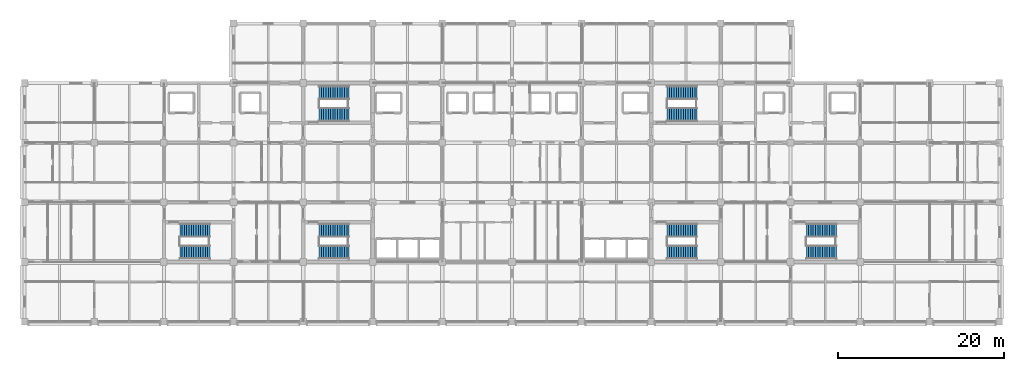
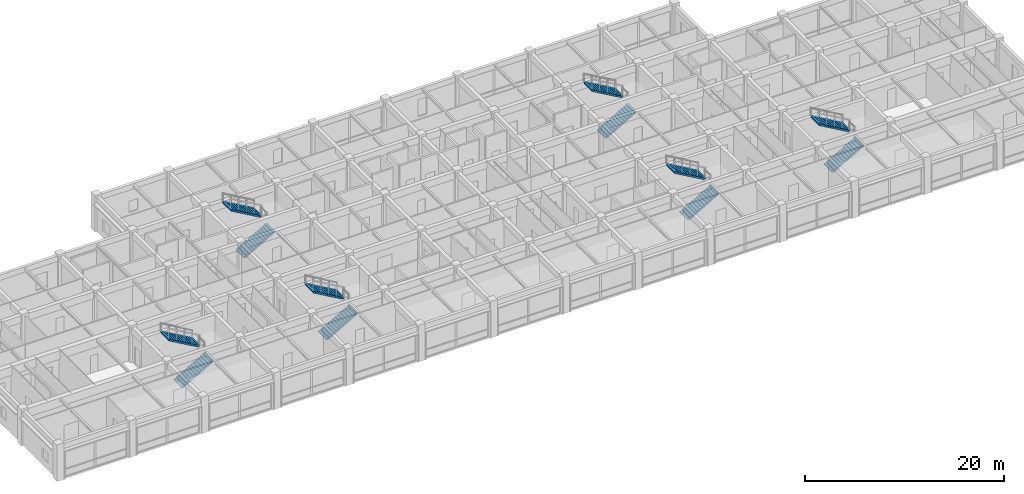
# One storey, part 27 of 30: 12 stair flights, 6 elements without a shape of their own.
"""IFC4 building model written with IfcOpenShell, lengths in metres."""

from ifc_helpers import new_model, si_unit, direction, frame, origin, place, context, subcontext, project, spatial, polyline, outline, extrude, material, type_object, element, aggregate, save


model = new_model("IFC4")

# Units and contexts
model_context = context("Model", 3, precision=1e-05, world=origin(), true_north=direction((0.0, 1.0)))
body_context = subcontext(model_context, "Body", "Model", "MODEL_VIEW")
ifc_project = project(units=[si_unit("LENGTHUNIT", "METRE"), si_unit("AREAUNIT", "SQUARE_METRE"), si_unit("VOLUMEUNIT", "CUBIC_METRE"), si_unit("PLANEANGLEUNIT", "RADIAN"), si_unit("MASSUNIT", "GRAM", prefix="KILO")], contexts=[model_context])

# Site, building, storey
site_placement = place(None, origin())
site = spatial("IfcSite", under=ifc_project, at=site_placement, CompositionType="ELEMENT")
building_placement = place(site_placement, origin())
building = spatial("IfcBuilding", under=site, at=building_placement, Name="Chengyuan Square Courthouse", CompositionType="ELEMENT")
storey_placement = place(building_placement, frame((0.0, 0.0, 26.10009765625)))
storey = spatial("IfcBuildingStorey", under=building, at=storey_placement, Name="L06", CompositionType="ELEMENT", Elevation=26.10009765625)

# Stair, stair flights
ifc_material = material(Name="Concrete C40", Category="concrete")
stair_type_1 = type_object("IfcStairType", Name="ST-TYPE-01", PredefinedType="HALF_TURN_STAIR", material=ifc_material)
stair_1_placement = place(storey_placement, origin())
stair_1 = element("IfcStair", 1, at=stair_1_placement, inside=storey, type_object=stair_type_1, Name="Smoke-Proof Exit Stair ST-1 (L06 to L07)", PredefinedType="HALF_TURN_STAIR")
stair_flight_type_1 = type_object("IfcStairFlightType", Name="STF-TYPE-01", PredefinedType="STRAIGHT", material=ifc_material)
stair_flight_1_placement = place(storey_placement, frame((60.7099609375, 104.175048828125, 0.0), z_axis=(0.0, 0.0, 1.0), x_axis=(1.0, 0.0, 0.0)))
stair_flight_1 = element("IfcStairFlight", 2, at=stair_flight_1_placement, type_object=stair_flight_type_1, Name="ST-1 flight 1", NumberOfRisers=14, NumberOfTreads=13, PredefinedType="STRAIGHT", RiserHeight=0.160714286, TreadLength=0.28, context=body_context, shape_type="SweptSolid", body=[
    extrude(outline(polyline([(0.0, 0.0), (0.0, 0.16064453125), (0.280029296875, 0.16064453125), (0.280029296875, 0.321533203125), (0.56005859375, 0.321533203125), (0.56005859375, 0.482177734375), (0.840087890625, 0.482177734375), (0.840087890625, 0.642822265625), (1.1201171875, 0.642822265625), (1.1201171875, 0.803466796875), (1.39990234375, 0.803466796875), (1.39990234375, 0.96435546875), (1.679931640625, 0.96435546875), (1.679931640625, 1.125), (1.9599609375, 1.125), (1.9599609375, 1.28564453125), (2.239990234375, 1.28564453125), (2.239990234375, 1.446533203125), (2.52001953125, 1.446533203125), (2.52001953125, 1.607177734375), (2.800048828125, 1.607177734375), (2.800048828125, 1.767822265625), (3.080078125, 1.767822265625), (3.080078125, 1.928466796875), (3.360107421875, 1.928466796875), (3.360107421875, 2.08935546875), (3.639892578125, 2.08935546875), (3.639892578125, 2.25), (3.639892578125, 1.91650390625), (0.301025390625, 0.0), (0.0, 0.0)])), frame((0.0, 0.824951171875, 0.0), z_axis=(0.0, -1.0, 0.0), x_axis=(1.0, 0.0, 0.0)), (0.0, 0.0, 1.0), 1.64990234375),
])
stair_flight_2_placement = place(storey_placement, frame((64.35009765625, 106.824951171875, 2.25), z_axis=(0.0, 0.0, 1.0), x_axis=(-1.0, 0.0, 0.0)))
stair_flight_2 = element("IfcStairFlight", 3, at=stair_flight_2_placement, type_object=stair_flight_type_1, Name="ST-1 flight 2", NumberOfRisers=14, NumberOfTreads=13, PredefinedType="STRAIGHT", RiserHeight=0.160714286, TreadLength=0.28, context=body_context, shape_type="SweptSolid", body=[
    extrude(outline(polyline([(0.0, 0.0), (0.0, 0.16064453125), (0.280029296875, 0.16064453125), (0.280029296875, 0.321533203125), (0.56005859375, 0.321533203125), (0.56005859375, 0.482177734375), (0.840087890625, 0.482177734375), (0.840087890625, 0.642822265625), (1.1201171875, 0.642822265625), (1.1201171875, 0.803466796875), (1.39990234375, 0.803466796875), (1.39990234375, 0.96435546875), (1.679931640625, 0.96435546875), (1.679931640625, 1.125), (1.9599609375, 1.125), (1.9599609375, 1.28564453125), (2.239990234375, 1.28564453125), (2.239990234375, 1.446533203125), (2.52001953125, 1.446533203125), (2.52001953125, 1.607177734375), (2.800048828125, 1.607177734375), (2.800048828125, 1.767822265625), (3.080078125, 1.767822265625), (3.080078125, 1.928466796875), (3.360107421875, 1.928466796875), (3.360107421875, 2.08935546875), (3.639892578125, 2.08935546875), (3.639892578125, 2.25), (3.639892578125, 1.91650390625), (0.301025390625, 0.0), (0.0, 0.0)])), frame((0.0, 0.824951171875, 0.0), z_axis=(0.0, -1.0, 0.0), x_axis=(1.0, 0.0, 0.0)), (0.0, 0.0, 1.0), 1.64990234375),
])
aggregate(stair_1, [stair_flight_1, stair_flight_2])

stair_type_2 = type_object("IfcStairType", Name="ST-TYPE-02", PredefinedType="HALF_TURN_STAIR", material=ifc_material)
stair_2_placement = place(storey_placement, origin())
stair_2 = element("IfcStair", 4, at=stair_2_placement, inside=storey, type_object=stair_type_2, Name="Smoke-Proof Exit Stair ST-2 (L06 to L07)", PredefinedType="HALF_TURN_STAIR")
stair_flight_type_2 = type_object("IfcStairFlightType", Name="STF-TYPE-02", PredefinedType="STRAIGHT", material=ifc_material)
stair_flight_3_placement = place(storey_placement, frame((102.7099609375, 104.175048828125, 0.0), z_axis=(0.0, 0.0, 1.0), x_axis=(1.0, 0.0, 0.0)))
stair_flight_3 = element("IfcStairFlight", 5, at=stair_flight_3_placement, type_object=stair_flight_type_2, Name="ST-2 flight 1", NumberOfRisers=14, NumberOfTreads=13, PredefinedType="STRAIGHT", RiserHeight=0.160714286, TreadLength=0.28, context=body_context, shape_type="SweptSolid", body=[
    extrude(outline(polyline([(0.0, 0.0), (0.0, 0.16064453125), (0.280029296875, 0.16064453125), (0.280029296875, 0.321533203125), (0.56005859375, 0.321533203125), (0.56005859375, 0.482177734375), (0.840087890625, 0.482177734375), (0.840087890625, 0.642822265625), (1.1201171875, 0.642822265625), (1.1201171875, 0.803466796875), (1.39990234375, 0.803466796875), (1.39990234375, 0.96435546875), (1.679931640625, 0.96435546875), (1.679931640625, 1.125), (1.9599609375, 1.125), (1.9599609375, 1.28564453125), (2.239990234375, 1.28564453125), (2.239990234375, 1.446533203125), (2.52001953125, 1.446533203125), (2.52001953125, 1.607177734375), (2.800048828125, 1.607177734375), (2.800048828125, 1.767822265625), (3.080078125, 1.767822265625), (3.080078125, 1.928466796875), (3.360107421875, 1.928466796875), (3.360107421875, 2.08935546875), (3.639892578125, 2.08935546875), (3.639892578125, 2.25), (3.639892578125, 1.91650390625), (0.301025390625, 0.0), (0.0, 0.0)])), frame((0.0, 0.824951171875, 0.0), z_axis=(0.0, -1.0, 0.0), x_axis=(1.0, 0.0, 0.0)), (0.0, 0.0, 1.0), 1.64990234375),
])
stair_flight_4_placement = place(storey_placement, frame((106.35009765625, 106.824951171875, 2.25), z_axis=(0.0, 0.0, 1.0), x_axis=(-1.0, 0.0, 0.0)))
stair_flight_4 = element("IfcStairFlight", 6, at=stair_flight_4_placement, type_object=stair_flight_type_2, Name="ST-2 flight 2", NumberOfRisers=14, NumberOfTreads=13, PredefinedType="STRAIGHT", RiserHeight=0.160714286, TreadLength=0.28, context=body_context, shape_type="SweptSolid", body=[
    extrude(outline(polyline([(0.0, 0.0), (0.0, 0.16064453125), (0.280029296875, 0.16064453125), (0.280029296875, 0.321533203125), (0.56005859375, 0.321533203125), (0.56005859375, 0.482177734375), (0.840087890625, 0.482177734375), (0.840087890625, 0.642822265625), (1.1201171875, 0.642822265625), (1.1201171875, 0.803466796875), (1.39990234375, 0.803466796875), (1.39990234375, 0.96435546875), (1.679931640625, 0.96435546875), (1.679931640625, 1.125), (1.9599609375, 1.125), (1.9599609375, 1.28564453125), (2.239990234375, 1.28564453125), (2.239990234375, 1.446533203125), (2.52001953125, 1.446533203125), (2.52001953125, 1.607177734375), (2.800048828125, 1.607177734375), (2.800048828125, 1.767822265625), (3.080078125, 1.767822265625), (3.080078125, 1.928466796875), (3.360107421875, 1.928466796875), (3.360107421875, 2.08935546875), (3.639892578125, 2.08935546875), (3.639892578125, 2.25), (3.639892578125, 1.91650390625), (0.301025390625, 0.0), (0.0, 0.0)])), frame((0.0, 0.824951171875, 0.0), z_axis=(0.0, -1.0, 0.0), x_axis=(1.0, 0.0, 0.0)), (0.0, 0.0, 1.0), 1.64990234375),
])
aggregate(stair_2, [stair_flight_3, stair_flight_4])

stair_type_3 = type_object("IfcStairType", Name="ST-TYPE-03", PredefinedType="HALF_TURN_STAIR", material=ifc_material)
stair_3_placement = place(storey_placement, origin())
stair_3 = element("IfcStair", 7, at=stair_3_placement, inside=storey, type_object=stair_type_3, Name="Smoke-Proof Exit Stair ST-3 (L06 to L07)", PredefinedType="HALF_TURN_STAIR")
stair_flight_type_3 = type_object("IfcStairFlightType", Name="STF-TYPE-03", PredefinedType="STRAIGHT", material=ifc_material)
stair_flight_5_placement = place(storey_placement, frame((60.7099609375, 87.574951171875, 0.0), z_axis=(0.0, 0.0, 1.0), x_axis=(1.0, 0.0, 0.0)))
stair_flight_5 = element("IfcStairFlight", 8, at=stair_flight_5_placement, type_object=stair_flight_type_3, Name="ST-3 flight 1", NumberOfRisers=14, NumberOfTreads=13, PredefinedType="STRAIGHT", RiserHeight=0.160714286, TreadLength=0.28, context=body_context, shape_type="SweptSolid", body=[
    extrude(outline(polyline([(0.0, 0.0), (0.0, 0.16064453125), (0.280029296875, 0.16064453125), (0.280029296875, 0.321533203125), (0.56005859375, 0.321533203125), (0.56005859375, 0.482177734375), (0.840087890625, 0.482177734375), (0.840087890625, 0.642822265625), (1.1201171875, 0.642822265625), (1.1201171875, 0.803466796875), (1.39990234375, 0.803466796875), (1.39990234375, 0.96435546875), (1.679931640625, 0.96435546875), (1.679931640625, 1.125), (1.9599609375, 1.125), (1.9599609375, 1.28564453125), (2.239990234375, 1.28564453125), (2.239990234375, 1.446533203125), (2.52001953125, 1.446533203125), (2.52001953125, 1.607177734375), (2.800048828125, 1.607177734375), (2.800048828125, 1.767822265625), (3.080078125, 1.767822265625), (3.080078125, 1.928466796875), (3.360107421875, 1.928466796875), (3.360107421875, 2.08935546875), (3.639892578125, 2.08935546875), (3.639892578125, 2.25), (3.639892578125, 1.91650390625), (0.301025390625, 0.0), (0.0, 0.0)])), frame((0.0, 0.824951171875, 0.0), z_axis=(0.0, -1.0, 0.0), x_axis=(1.0, 0.0, 0.0)), (0.0, 0.0, 1.0), 1.64990234375),
])
stair_flight_6_placement = place(storey_placement, frame((64.35009765625, 90.22509765625, 2.25), z_axis=(0.0, 0.0, 1.0), x_axis=(-1.0, 0.0, 0.0)))
stair_flight_6 = element("IfcStairFlight", 9, at=stair_flight_6_placement, type_object=stair_flight_type_3, Name="ST-3 flight 2", NumberOfRisers=14, NumberOfTreads=13, PredefinedType="STRAIGHT", RiserHeight=0.160714286, TreadLength=0.28, context=body_context, shape_type="SweptSolid", body=[
    extrude(outline(polyline([(0.0, 0.0), (0.0, 0.16064453125), (0.280029296875, 0.16064453125), (0.280029296875, 0.321533203125), (0.56005859375, 0.321533203125), (0.56005859375, 0.482177734375), (0.840087890625, 0.482177734375), (0.840087890625, 0.642822265625), (1.1201171875, 0.642822265625), (1.1201171875, 0.803466796875), (1.39990234375, 0.803466796875), (1.39990234375, 0.96435546875), (1.679931640625, 0.96435546875), (1.679931640625, 1.125), (1.9599609375, 1.125), (1.9599609375, 1.28564453125), (2.239990234375, 1.28564453125), (2.239990234375, 1.446533203125), (2.52001953125, 1.446533203125), (2.52001953125, 1.607177734375), (2.800048828125, 1.607177734375), (2.800048828125, 1.767822265625), (3.080078125, 1.767822265625), (3.080078125, 1.928466796875), (3.360107421875, 1.928466796875), (3.360107421875, 2.08935546875), (3.639892578125, 2.08935546875), (3.639892578125, 2.25), (3.639892578125, 1.91650390625), (0.301025390625, 0.0), (0.0, 0.0)])), frame((0.0, 0.824951171875, 0.0), z_axis=(0.0, -1.0, 0.0), x_axis=(1.0, 0.0, 0.0)), (0.0, 0.0, 1.0), 1.64990234375),
])
aggregate(stair_3, [stair_flight_5, stair_flight_6])

stair_type_4 = type_object("IfcStairType", Name="ST-TYPE-04", PredefinedType="HALF_TURN_STAIR", material=ifc_material)
stair_4_placement = place(storey_placement, origin())
stair_4 = element("IfcStair", 10, at=stair_4_placement, inside=storey, type_object=stair_type_4, Name="Smoke-Proof Exit Stair ST-4 (L06 to L07)", PredefinedType="HALF_TURN_STAIR")
stair_flight_type_4 = type_object("IfcStairFlightType", Name="STF-TYPE-04", PredefinedType="STRAIGHT", material=ifc_material)
stair_flight_7_placement = place(storey_placement, frame((102.7099609375, 87.574951171875, 0.0), z_axis=(0.0, 0.0, 1.0), x_axis=(1.0, 0.0, 0.0)))
stair_flight_7 = element("IfcStairFlight", 11, at=stair_flight_7_placement, type_object=stair_flight_type_4, Name="ST-4 flight 1", NumberOfRisers=14, NumberOfTreads=13, PredefinedType="STRAIGHT", RiserHeight=0.160714286, TreadLength=0.28, context=body_context, shape_type="SweptSolid", body=[
    extrude(outline(polyline([(0.0, 0.0), (0.0, 0.16064453125), (0.280029296875, 0.16064453125), (0.280029296875, 0.321533203125), (0.56005859375, 0.321533203125), (0.56005859375, 0.482177734375), (0.840087890625, 0.482177734375), (0.840087890625, 0.642822265625), (1.1201171875, 0.642822265625), (1.1201171875, 0.803466796875), (1.39990234375, 0.803466796875), (1.39990234375, 0.96435546875), (1.679931640625, 0.96435546875), (1.679931640625, 1.125), (1.9599609375, 1.125), (1.9599609375, 1.28564453125), (2.239990234375, 1.28564453125), (2.239990234375, 1.446533203125), (2.52001953125, 1.446533203125), (2.52001953125, 1.607177734375), (2.800048828125, 1.607177734375), (2.800048828125, 1.767822265625), (3.080078125, 1.767822265625), (3.080078125, 1.928466796875), (3.360107421875, 1.928466796875), (3.360107421875, 2.08935546875), (3.639892578125, 2.08935546875), (3.639892578125, 2.25), (3.639892578125, 1.91650390625), (0.301025390625, 0.0), (0.0, 0.0)])), frame((0.0, 0.824951171875, 0.0), z_axis=(0.0, -1.0, 0.0), x_axis=(1.0, 0.0, 0.0)), (0.0, 0.0, 1.0), 1.64990234375),
])
stair_flight_8_placement = place(storey_placement, frame((106.35009765625, 90.22509765625, 2.25), z_axis=(0.0, 0.0, 1.0), x_axis=(-1.0, 0.0, 0.0)))
stair_flight_8 = element("IfcStairFlight", 12, at=stair_flight_8_placement, type_object=stair_flight_type_4, Name="ST-4 flight 2", NumberOfRisers=14, NumberOfTreads=13, PredefinedType="STRAIGHT", RiserHeight=0.160714286, TreadLength=0.28, context=body_context, shape_type="SweptSolid", body=[
    extrude(outline(polyline([(0.0, 0.0), (0.0, 0.16064453125), (0.280029296875, 0.16064453125), (0.280029296875, 0.321533203125), (0.56005859375, 0.321533203125), (0.56005859375, 0.482177734375), (0.840087890625, 0.482177734375), (0.840087890625, 0.642822265625), (1.1201171875, 0.642822265625), (1.1201171875, 0.803466796875), (1.39990234375, 0.803466796875), (1.39990234375, 0.96435546875), (1.679931640625, 0.96435546875), (1.679931640625, 1.125), (1.9599609375, 1.125), (1.9599609375, 1.28564453125), (2.239990234375, 1.28564453125), (2.239990234375, 1.446533203125), (2.52001953125, 1.446533203125), (2.52001953125, 1.607177734375), (2.800048828125, 1.607177734375), (2.800048828125, 1.767822265625), (3.080078125, 1.767822265625), (3.080078125, 1.928466796875), (3.360107421875, 1.928466796875), (3.360107421875, 2.08935546875), (3.639892578125, 2.08935546875), (3.639892578125, 2.25), (3.639892578125, 1.91650390625), (0.301025390625, 0.0), (0.0, 0.0)])), frame((0.0, 0.824951171875, 0.0), z_axis=(0.0, -1.0, 0.0), x_axis=(1.0, 0.0, 0.0)), (0.0, 0.0, 1.0), 1.64990234375),
])
aggregate(stair_4, [stair_flight_7, stair_flight_8])

stair_type_5 = type_object("IfcStairType", Name="ST-TYPE-05", PredefinedType="HALF_TURN_STAIR", material=ifc_material)
stair_5_placement = place(storey_placement, origin())
stair_5 = element("IfcStair", 13, at=stair_5_placement, inside=storey, type_object=stair_type_5, Name="Smoke-Proof Exit Stair ST-5 (L06 to L07)", PredefinedType="HALF_TURN_STAIR")
stair_flight_type_5 = type_object("IfcStairFlightType", Name="STF-TYPE-05", PredefinedType="STRAIGHT", material=ifc_material)
stair_flight_9_placement = place(storey_placement, frame((43.909912109375, 87.574951171875, 0.0), z_axis=(0.0, 0.0, 1.0), x_axis=(1.0, 0.0, 0.0)))
stair_flight_9 = element("IfcStairFlight", 14, at=stair_flight_9_placement, type_object=stair_flight_type_5, Name="ST-5 flight 1", NumberOfRisers=14, NumberOfTreads=13, PredefinedType="STRAIGHT", RiserHeight=0.160714286, TreadLength=0.28, context=body_context, shape_type="SweptSolid", body=[
    extrude(outline(polyline([(0.0, 0.0), (0.0, 0.16064453125), (0.280029296875, 0.16064453125), (0.280029296875, 0.321533203125), (0.56005859375, 0.321533203125), (0.56005859375, 0.482177734375), (0.840087890625, 0.482177734375), (0.840087890625, 0.642822265625), (1.1201171875, 0.642822265625), (1.1201171875, 0.803466796875), (1.39990234375, 0.803466796875), (1.39990234375, 0.96435546875), (1.679931640625, 0.96435546875), (1.679931640625, 1.125), (1.9599609375, 1.125), (1.9599609375, 1.28564453125), (2.239990234375, 1.28564453125), (2.239990234375, 1.446533203125), (2.52001953125, 1.446533203125), (2.52001953125, 1.607177734375), (2.800048828125, 1.607177734375), (2.800048828125, 1.767822265625), (3.080078125, 1.767822265625), (3.080078125, 1.928466796875), (3.360107421875, 1.928466796875), (3.360107421875, 2.08935546875), (3.639892578125, 2.08935546875), (3.639892578125, 2.25), (3.639892578125, 1.91650390625), (0.301025390625, 0.0), (0.0, 0.0)])), frame((0.0, 0.824951171875, 0.0), z_axis=(0.0, -1.0, 0.0), x_axis=(1.0, 0.0, 0.0)), (0.0, 0.0, 1.0), 1.64990234375),
])
stair_flight_10_placement = place(storey_placement, frame((47.550048828125, 90.22509765625, 2.25), z_axis=(0.0, 0.0, 1.0), x_axis=(-1.0, 0.0, 0.0)))
stair_flight_10 = element("IfcStairFlight", 15, at=stair_flight_10_placement, type_object=stair_flight_type_5, Name="ST-5 flight 2", NumberOfRisers=14, NumberOfTreads=13, PredefinedType="STRAIGHT", RiserHeight=0.160714286, TreadLength=0.28, context=body_context, shape_type="SweptSolid", body=[
    extrude(outline(polyline([(0.0, 0.0), (0.0, 0.16064453125), (0.280029296875, 0.16064453125), (0.280029296875, 0.321533203125), (0.56005859375, 0.321533203125), (0.56005859375, 0.482177734375), (0.840087890625, 0.482177734375), (0.840087890625, 0.642822265625), (1.1201171875, 0.642822265625), (1.1201171875, 0.803466796875), (1.39990234375, 0.803466796875), (1.39990234375, 0.96435546875), (1.679931640625, 0.96435546875), (1.679931640625, 1.125), (1.9599609375, 1.125), (1.9599609375, 1.28564453125), (2.239990234375, 1.28564453125), (2.239990234375, 1.446533203125), (2.52001953125, 1.446533203125), (2.52001953125, 1.607177734375), (2.800048828125, 1.607177734375), (2.800048828125, 1.767822265625), (3.080078125, 1.767822265625), (3.080078125, 1.928466796875), (3.360107421875, 1.928466796875), (3.360107421875, 2.08935546875), (3.639892578125, 2.08935546875), (3.639892578125, 2.25), (3.639892578125, 1.91650390625), (0.301025390625, 0.0), (0.0, 0.0)])), frame((0.0, 0.824951171875, 0.0), z_axis=(0.0, -1.0, 0.0), x_axis=(1.0, 0.0, 0.0)), (0.0, 0.0, 1.0), 1.64990234375),
])
aggregate(stair_5, [stair_flight_9, stair_flight_10])

stair_type_6 = type_object("IfcStairType", Name="ST-TYPE-06", PredefinedType="HALF_TURN_STAIR", material=ifc_material)
stair_6_placement = place(storey_placement, origin())
stair_6 = element("IfcStair", 16, at=stair_6_placement, inside=storey, type_object=stair_type_6, Name="Smoke-Proof Exit Stair ST-6 (L06 to L07)", PredefinedType="HALF_TURN_STAIR")
stair_flight_type_6 = type_object("IfcStairFlightType", Name="STF-TYPE-06", PredefinedType="STRAIGHT", material=ifc_material)
stair_flight_11_placement = place(storey_placement, frame((119.510009765625, 87.574951171875, 0.0), z_axis=(0.0, 0.0, 1.0), x_axis=(1.0, 0.0, 0.0)))
stair_flight_11 = element("IfcStairFlight", 17, at=stair_flight_11_placement, type_object=stair_flight_type_6, Name="ST-6 flight 1", NumberOfRisers=14, NumberOfTreads=13, PredefinedType="STRAIGHT", RiserHeight=0.160714286, TreadLength=0.28, context=body_context, shape_type="SweptSolid", body=[
    extrude(outline(polyline([(0.0, 0.0), (0.0, 0.16064453125), (0.280029296875, 0.16064453125), (0.280029296875, 0.321533203125), (0.56005859375, 0.321533203125), (0.56005859375, 0.482177734375), (0.840087890625, 0.482177734375), (0.840087890625, 0.642822265625), (1.1201171875, 0.642822265625), (1.1201171875, 0.803466796875), (1.39990234375, 0.803466796875), (1.39990234375, 0.96435546875), (1.679931640625, 0.96435546875), (1.679931640625, 1.125), (1.9599609375, 1.125), (1.9599609375, 1.28564453125), (2.239990234375, 1.28564453125), (2.239990234375, 1.446533203125), (2.52001953125, 1.446533203125), (2.52001953125, 1.607177734375), (2.800048828125, 1.607177734375), (2.800048828125, 1.767822265625), (3.080078125, 1.767822265625), (3.080078125, 1.928466796875), (3.360107421875, 1.928466796875), (3.360107421875, 2.08935546875), (3.639892578125, 2.08935546875), (3.639892578125, 2.25), (3.639892578125, 1.91650390625), (0.301025390625, 0.0), (0.0, 0.0)])), frame((0.0, 0.824951171875, 0.0), z_axis=(0.0, -1.0, 0.0), x_axis=(1.0, 0.0, 0.0)), (0.0, 0.0, 1.0), 1.64990234375),
])
stair_flight_12_placement = place(storey_placement, frame((123.14990234375, 90.22509765625, 2.25), z_axis=(0.0, 0.0, 1.0), x_axis=(-1.0, 0.0, 0.0)))
stair_flight_12 = element("IfcStairFlight", 18, at=stair_flight_12_placement, type_object=stair_flight_type_6, Name="ST-6 flight 2", NumberOfRisers=14, NumberOfTreads=13, PredefinedType="STRAIGHT", RiserHeight=0.160714286, TreadLength=0.28, context=body_context, shape_type="SweptSolid", body=[
    extrude(outline(polyline([(0.0, 0.0), (0.0, 0.16064453125), (0.280029296875, 0.16064453125), (0.280029296875, 0.321533203125), (0.56005859375, 0.321533203125), (0.56005859375, 0.482177734375), (0.840087890625, 0.482177734375), (0.840087890625, 0.642822265625), (1.1201171875, 0.642822265625), (1.1201171875, 0.803466796875), (1.39990234375, 0.803466796875), (1.39990234375, 0.96435546875), (1.679931640625, 0.96435546875), (1.679931640625, 1.125), (1.9599609375, 1.125), (1.9599609375, 1.28564453125), (2.239990234375, 1.28564453125), (2.239990234375, 1.446533203125), (2.52001953125, 1.446533203125), (2.52001953125, 1.607177734375), (2.800048828125, 1.607177734375), (2.800048828125, 1.767822265625), (3.080078125, 1.767822265625), (3.080078125, 1.928466796875), (3.360107421875, 1.928466796875), (3.360107421875, 2.08935546875), (3.639892578125, 2.08935546875), (3.639892578125, 2.25), (3.639892578125, 1.91650390625), (0.301025390625, 0.0), (0.0, 0.0)])), frame((0.0, 0.824951171875, 0.0), z_axis=(0.0, -1.0, 0.0), x_axis=(1.0, 0.0, 0.0)), (0.0, 0.0, 1.0), 1.64990234375),
])
aggregate(stair_6, [stair_flight_11, stair_flight_12])

save(model, "model.ifc")
